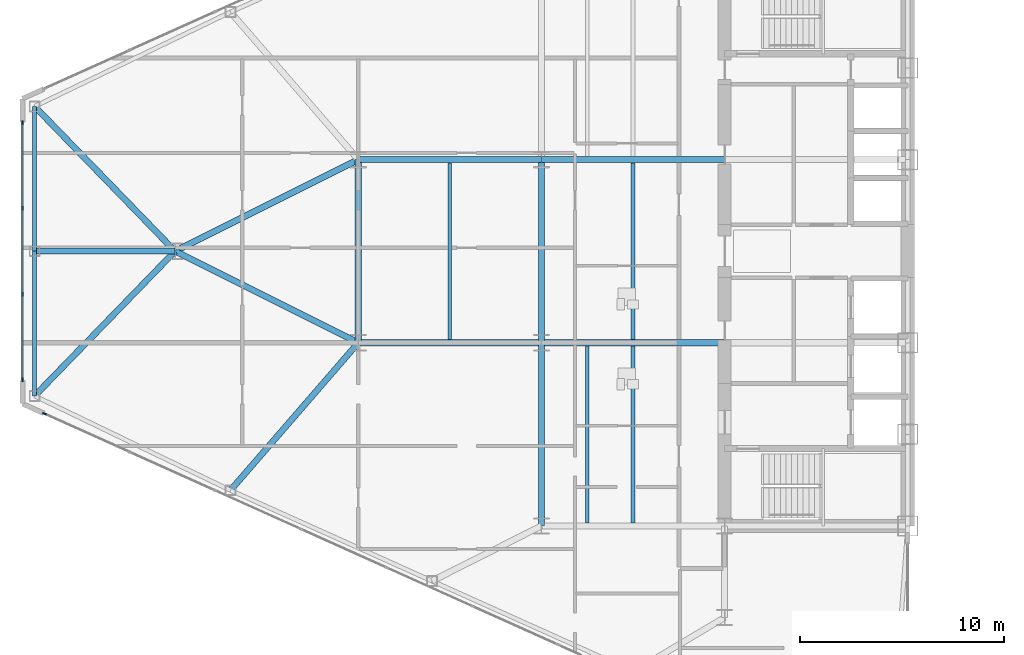
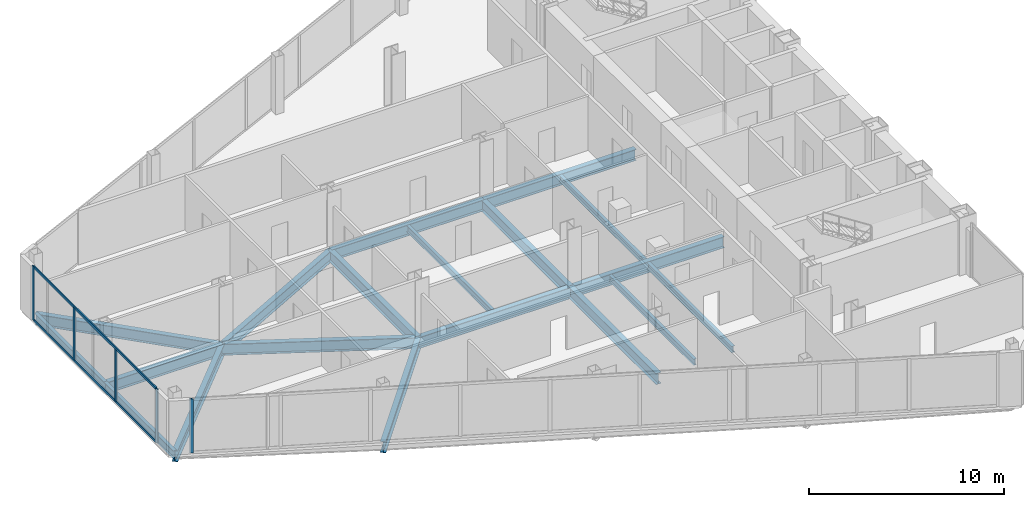
# One storey, part 5 of 27: 19 beams, 7 members, 2 elements without a shape of their own.
"""IFC4 building model written with IfcOpenShell, lengths in metres."""

from ifc_helpers import new_model, si_unit, direction, frame, origin, origin_2d, place, context, subcontext, project, spatial, rectangle, i_section, extrude, source, transform, mapped, material, layer, layer_set, material_profile, profile_set, type_object, type_shapes, element, aggregate, save


model = new_model("IFC4")

# Units and contexts
model_context = context("Model", 3, precision=1e-05, world=origin(), true_north=direction((0.0, 1.0)))
body_context = subcontext(model_context, "Body", "Model", "MODEL_VIEW")
ifc_project = project(units=[si_unit("LENGTHUNIT", "METRE"), si_unit("AREAUNIT", "SQUARE_METRE"), si_unit("VOLUMEUNIT", "CUBIC_METRE"), si_unit("PLANEANGLEUNIT", "RADIAN"), si_unit("MASSUNIT", "GRAM", prefix="KILO")], contexts=[model_context])

# Site, building, storey
site_placement = place(None, origin())
site = spatial("IfcSite", under=ifc_project, at=site_placement, CompositionType="ELEMENT")
building_placement = place(site_placement, origin())
building = spatial("IfcBuilding", under=site, at=building_placement, Name="Seokmaru Belvedere", CompositionType="ELEMENT")
storey_placement = place(building_placement, frame((0.0, 0.0, 65.699951171875)))
storey = spatial("IfcBuildingStorey", under=building, at=storey_placement, Name="L17", CompositionType="ELEMENT", Elevation=65.699951171875)

# Beams
ifc_material_1 = material(Name="Steel SM355 (355 MPa)", Category="steel")
ifc_material_profile_1 = material_profile(ifc_material_1, i_section(OverallWidth=0.300048828125, OverallDepth=0.699951171875, WebThickness=0.012939453125, FlangeThickness=0.02392578125, at=origin_2d()), Name="H-700x300x13x24")
ifc_profile_set_1 = profile_set([ifc_material_profile_1], Name="Steel SM355 (355 MPa)")
beam_type_1 = type_object("IfcBeamType", Name="Primary Floor Girder H-700", PredefinedType="BEAM", material=ifc_profile_set_1)
shared_shape_1 = source(origin(), body_context, "Body", "SweptSolid", [
    extrude(i_section(OverallWidth=0.300048828125, OverallDepth=0.699951171875, WebThickness=0.012939453125, FlangeThickness=0.02392578125, at=origin_2d()), origin(), (0.0, 0.0, 1.0), 9.0),
])
for number, where, z_axis, x_axis, name in (
    (1, (-45.5, -13.5, -0.570068359375), (0.0, 1.0, 0.0), (-1.0, 0.0, 0.0), "L17 W Interior Grid Girder 1"),
    (2, (-45.5, -4.5, -0.570068359375), (0.0, 1.0, 0.0), (-1.0, 0.0, 0.0), "L17 W Interior Grid Girder 2"),
    (3, (-45.5, -4.5, -0.570068359375), (1.0, 0.0, 0.0), (0.0, 1.0, 0.0), "L17 W Wing Primary Girder 2"),
    (4, (-45.5, 4.5, -0.570068359375), (1.0, 0.0, 0.0), (0.0, 1.0, 0.0), "L17 W Wing Primary Girder 3"),
    (5, (-54.5, -4.5, -0.570068359375), (1.0, 0.0, 0.0), (0.0, 1.0, 0.0), "L17 W Outer Wing Girder 1"),
    (6, (-54.5, 4.5, -0.570068359375), (1.0, 0.0, 0.0), (0.0, 1.0, 0.0), "L17 W Outer Wing Girder 2"),
    (7, (-54.5, -4.5, -0.570068359375), (0.0, 1.0, 0.0), (-1.0, 0.0, 0.0), "L17 W Apex Frame Girder"),
):
    element("IfcBeam", number, at=place(storey_placement, frame(where, z_axis=z_axis, x_axis=x_axis)), inside=storey, type_object=beam_type_1, Name=name, PredefinedType="BEAM", context=body_context, shape_type="MappedRepresentation", body=[
        mapped(shared_shape_1, transform((0.0, 0.0, 0.0), scale=1.0)),
    ])
shared_shape_2 = source(origin(), body_context, "Body", "SweptSolid", [
    extrude(i_section(OverallWidth=0.300048828125, OverallDepth=0.699951171875, WebThickness=0.012939453125, FlangeThickness=0.02392578125, at=origin_2d()), origin(), (0.0, 0.0, 1.0), 10.062255859375),
])
for number, where, z_axis, x_axis, name in (
    (8, (-54.5, -4.5, -0.570068359375), (-0.894427191, 0.4472135955, 0.0), (-0.4472135955, -0.894427191, 0.0), "L17 W Apex Converging Girder 1"),
    (9, (-54.5, 4.5, -0.570068359375), (-0.894427191, -0.4472135955, 0.0), (0.4472135955, -0.894427191, 0.0), "L17 W Apex Converging Girder 2"),
):
    element("IfcBeam", number, at=place(storey_placement, frame(where, z_axis=z_axis, x_axis=x_axis)), inside=storey, type_object=beam_type_1, Name=name, PredefinedType="BEAM", context=body_context, shape_type="MappedRepresentation", body=[
        mapped(shared_shape_2, transform((0.0, 0.0, 0.0), scale=1.0)),
    ])
ifc_material_profile_2 = material_profile(ifc_material_1, i_section(OverallWidth=0.18505859375, OverallDepth=0.389892578125, WebThickness=0.008056640625, FlangeThickness=0.011962890625, at=origin_2d()), Name="H-390x185x8x12")
ifc_profile_set_2 = profile_set([ifc_material_profile_2], Name="Steel SM355 (355 MPa)")
beam_type_2 = type_object("IfcBeamType", Name="Secondary Floor Joist H-350", PredefinedType="JOIST", material=ifc_profile_set_2)
shared_shape_3 = source(origin(), body_context, "Body", "SweptSolid", [
    extrude(i_section(OverallWidth=0.18505859375, OverallDepth=0.389892578125, WebThickness=0.008056640625, FlangeThickness=0.011962890625, at=origin_2d()), origin(), (0.0, 0.0, 1.0), 8.68994140625),
])
type_shapes(beam_type_2, [shared_shape_3])
for number, where, z_axis, x_axis, name in (
    (10, (-43.25, -13.344970703125, -0.4150390625), (0.0, 1.0, 0.0), (-1.0, 0.0, 0.0), "L17 W Wing Inner Secondary Joist 1"),
    (11, (-41.0, -13.344970703125, -0.4150390625), (0.0, 1.0, 0.0), (-1.0, 0.0, 0.0), "L17 W Secondary Floor Joist 1"),
    (12, (-41.0, -4.344970703125, -0.4150390625), (0.0, 1.0, 0.0), (-1.0, 0.0, 0.0), "L17 W Secondary Floor Joist 2"),
    (13, (-50.0, -4.344970703125, -0.4150390625), (0.0, 1.0, 0.0), (-1.0, 0.0, 0.0), "L17 W Outer Bay Secondary Joist"),
):
    element("IfcBeam", number, at=place(storey_placement, frame(where, z_axis=z_axis, x_axis=x_axis)), inside=storey, type_object=beam_type_2, Name=name, PredefinedType="JOIST", context=body_context, shape_type="MappedRepresentation", body=[
        mapped(shared_shape_3, transform((0.0, 0.0, 0.0), scale=1.0)),
    ])
ifc_material_profile_3 = material_profile(ifc_material_1, i_section(OverallWidth=0.199951171875, OverallDepth=0.5, WebThickness=0.010009765625, FlangeThickness=0.01611328125, at=origin_2d()), Name="H-500x200x10x16")
ifc_profile_set_3 = profile_set([ifc_material_profile_3], Name="Steel SM355 (355 MPa)")
beam_type_3 = type_object("IfcBeamType", Name="Perimeter Spandrel Beam H-500", PredefinedType="SPANDREL", material=ifc_profile_set_3)
shared_shape_4 = source(origin(), body_context, "Body", "SweptSolid", [
    extrude(i_section(OverallWidth=0.199951171875, OverallDepth=0.5, WebThickness=0.010009765625, FlangeThickness=0.01611328125, at=origin_2d()), origin(), (0.0, 0.0, 1.0), 7.112060546875),
])
type_shapes(beam_type_3, [shared_shape_4])
for number, where, z_axis, x_axis, name in (
    (14, (-70.39990234375, -7.112060546875, -0.469970703125), (0.0, 1.0, 0.0), (-1.0, 0.0, 0.0), "L17 W Faceted Apex Spandrel S"),
    (15, (-70.39990234375, 0.0, -0.469970703125), (0.0, 1.0, 0.0), (-1.0, 0.0, 0.0), "L17 W Faceted Apex Spandrel N"),
):
    element("IfcBeam", number, at=place(storey_placement, frame(where, z_axis=z_axis, x_axis=x_axis)), inside=storey, type_object=beam_type_3, Name=name, PredefinedType="SPANDREL", context=body_context, shape_type="MappedRepresentation", body=[
        mapped(shared_shape_4, transform((0.0, 0.0, 0.0), scale=1.0)),
    ])
shared_shape_5 = source(origin(), body_context, "Body", "SweptSolid", [
    extrude(i_section(OverallWidth=0.300048828125, OverallDepth=0.699951171875, WebThickness=0.012939453125, FlangeThickness=0.02392578125, at=origin_2d()), origin(), (0.0, 0.0, 1.0), 9.589599609375),
])
beam_1_placement = place(storey_placement, frame((-60.777587890625, -11.749267578125, -0.570068359375), z_axis=(0.654626140929, 0.755952786629, 0.0), x_axis=(-0.755952786629, 0.654626140929, 0.0)))
element("IfcBeam", 16, at=beam_1_placement, inside=storey, type_object=beam_type_1, Name="L17 W Flank Radial Floor Girder S-3", PredefinedType="BEAM", context=body_context, shape_type="MappedRepresentation", body=[
    mapped(shared_shape_5, transform((0.0, 0.0, 0.0), scale=1.0)),
])
shared_shape_6 = source(origin(), body_context, "Body", "SweptSolid", [
    extrude(i_section(OverallWidth=0.300048828125, OverallDepth=0.699951171875, WebThickness=0.012939453125, FlangeThickness=0.02392578125, at=origin_2d()), origin(), (0.0, 0.0, 1.0), 9.9091796875),
])
for number, where, z_axis, x_axis, name in (
    (17, (-70.39990234375, -7.112060546875, -0.570068359375), (0.6963205089, 0.717730972499, 0.0), (-0.717730972499, 0.6963205089, 0.0), "L17 W Apex Radial Floor Girder 1"),
    (18, (-70.39990234375, 7.112060546875, -0.570068359375), (0.6963205089, -0.717730972499, 0.0), (0.717730972499, 0.6963205089, 0.0), "L17 W Apex Radial Floor Girder 2"),
):
    element("IfcBeam", number, at=place(storey_placement, frame(where, z_axis=z_axis, x_axis=x_axis)), inside=storey, type_object=beam_type_1, Name=name, PredefinedType="BEAM", context=body_context, shape_type="MappedRepresentation", body=[
        mapped(shared_shape_6, transform((0.0, 0.0, 0.0), scale=1.0)),
    ])
shared_shape_7 = source(origin(), body_context, "Body", "SweptSolid", [
    extrude(i_section(OverallWidth=0.300048828125, OverallDepth=0.699951171875, WebThickness=0.012939453125, FlangeThickness=0.02392578125, at=origin_2d()), origin(), (0.0, 0.0, 1.0), 6.89990234375),
])
type_shapes(beam_type_1, [shared_shape_1, shared_shape_2, shared_shape_5, shared_shape_6, shared_shape_7])
beam_2_placement = place(storey_placement, frame((-70.39990234375, 0.0, -0.570068359375), z_axis=(1.0, 0.0, 0.0), x_axis=(0.0, 1.0, 0.0)))
element("IfcBeam", 19, at=beam_2_placement, inside=storey, type_object=beam_type_1, Name="L17 W Apex Center Radial Girder", PredefinedType="BEAM", context=body_context, shape_type="MappedRepresentation", body=[
    mapped(shared_shape_7, transform((0.0, 0.0, 0.0), scale=1.0)),
])

# Curtain wall, members
ifc_material_2 = material(Name="Bronze Triple Insulating Glass", Category="glass")
ifc_layer = layer(ifc_material_2, 0.195068359375)
ifc_layer_set = layer_set([ifc_layer], Name="Bronze Triple Insulating Glass")
curtain_wall_type = type_object("IfcCurtainWallType", Name="Lower-Mid Tapered Curtain Wall System CW-3", PredefinedType="NOTDEFINED", material=ifc_layer_set)
curtain_wall_1_placement = place(storey_placement, origin())
curtain_wall_1 = element("IfcCurtainWall", 20, at=curtain_wall_1_placement, inside=storey, type_object=curtain_wall_type, Name="L17 Curtain Wall WF4", PredefinedType="NOTDEFINED")
ifc_material_3 = material(Name="Anodised Bronze Aluminium", Category="aluminium")
ifc_material_profile_4 = material_profile(ifc_material_3, rectangle(XDim=0.070068359375, YDim=0.195068359375, at=origin_2d()), Name="CW-M-70x195")
ifc_profile_set_4 = profile_set([ifc_material_profile_4], Name="Anodised Bronze Aluminium")
member_type_1 = type_object("IfcMemberType", Name="Bronze Unitised Mullion 70x195", PredefinedType="MULLION", material=ifc_profile_set_4)
shared_shape_8 = source(origin(), body_context, "Body", "SweptSolid", [
    extrude(rectangle(XDim=0.070068359375, YDim=0.195068359375, at=origin_2d()), origin(), (0.0, 0.0, 1.0), 3.239990234375),
])
member_1_placement = place(storey_placement, frame((-71.0, 2.11669921875, 0.070068359375), z_axis=(0.0, 0.0, 1.0), x_axis=(1.0, 0.0, 0.0)))
member_1 = element("IfcMember", 21, at=member_1_placement, type_object=member_type_1, Name="CW:L17:WF4 Mullion 2", PredefinedType="MULLION", context=body_context, shape_type="MappedRepresentation", body=[
    mapped(shared_shape_8, transform((0.0, 0.0, 0.0), scale=1.0)),
])
member_2_placement = place(storey_placement, frame((-71.0, -2.11669921875, 0.070068359375), z_axis=(0.0, 0.0, 1.0), x_axis=(1.0, 0.0, 0.0)))
member_2 = element("IfcMember", 22, at=member_2_placement, type_object=member_type_1, Name="CW:L17:WF4 Mullion 3", PredefinedType="MULLION", context=body_context, shape_type="MappedRepresentation", body=[
    mapped(shared_shape_8, transform((0.0, 0.0, 0.0), scale=1.0)),
])
ifc_material_profile_5 = material_profile(ifc_material_3, rectangle(XDim=0.070068359375, YDim=0.1650390625, at=origin_2d()), Name="CW-T-70x165")
ifc_profile_set_5 = profile_set([ifc_material_profile_5], Name="Anodised Bronze Aluminium")
member_type_2 = type_object("IfcMemberType", Name="Bronze Unitised Transom 70x165", PredefinedType="USERDEFINED", material=ifc_profile_set_5)
shared_shape_9 = source(origin(), body_context, "Body", "SweptSolid", [
    extrude(rectangle(XDim=0.070068359375, YDim=0.1650390625, at=origin_2d()), origin(), (0.0, 0.0, 1.0), 12.56005859375),
])
type_shapes(member_type_2, [shared_shape_9])
member_3_placement = place(storey_placement, frame((-71.0, 6.280029296875, 0.03515625), z_axis=(0.0, -1.0, 0.0), x_axis=(1.0, 0.0, 0.0)))
member_3 = element("IfcMember", 23, at=member_3_placement, type_object=member_type_2, Name="CW:L17:WF4 Continuous Transom 1", ObjectType="TRANSOM", PredefinedType="USERDEFINED", context=body_context, shape_type="MappedRepresentation", body=[
    mapped(shared_shape_9, transform((0.0, 0.0, 0.0), scale=1.0)),
])
member_4_placement = place(storey_placement, frame((-71.0, 6.280029296875, 3.344970703125), z_axis=(0.0, -1.0, 0.0), x_axis=(1.0, 0.0, 0.0)))
member_4 = element("IfcMember", 24, at=member_4_placement, type_object=member_type_2, Name="CW:L17:WF4 Continuous Transom 2", ObjectType="TRANSOM", PredefinedType="USERDEFINED", context=body_context, shape_type="MappedRepresentation", body=[
    mapped(shared_shape_9, transform((0.0, 0.0, 0.0), scale=1.0)),
])
shared_shape_10 = source(origin(), body_context, "Body", "SweptSolid", [
    extrude(rectangle(XDim=0.070068359375, YDim=0.195068359375, at=origin_2d()), origin(), (0.0, 0.0, 1.0), 3.380126953125),
])
type_shapes(member_type_1, [shared_shape_8, shared_shape_10])
member_5_placement = place(storey_placement, frame((-71.0, 6.31494140625, 0.0), z_axis=(0.0, 0.0, 1.0), x_axis=(1.0, 0.0, 0.0)))
member_5 = element("IfcMember", 25, at=member_5_placement, type_object=member_type_1, Name="CW:L17:WF4 Mullion 1", PredefinedType="MULLION", context=body_context, shape_type="MappedRepresentation", body=[
    mapped(shared_shape_10, transform((0.0, 0.0, 0.0), scale=1.0)),
])
member_6_placement = place(storey_placement, frame((-71.0, -6.31494140625, 0.0), z_axis=(0.0, 0.0, 1.0), x_axis=(1.0, 0.0, 0.0)))
member_6 = element("IfcMember", 26, at=member_6_placement, type_object=member_type_1, Name="CW:L17:WF4 Mullion 4", PredefinedType="MULLION", context=body_context, shape_type="MappedRepresentation", body=[
    mapped(shared_shape_10, transform((0.0, 0.0, 0.0), scale=1.0)),
])
aggregate(curtain_wall_1, [member_5, member_1, member_2, member_6, member_3, member_4])

# Curtain wall, member
curtain_wall_2_placement = place(storey_placement, origin())
curtain_wall_2 = element("IfcCurtainWall", 27, at=curtain_wall_2_placement, inside=storey, type_object=curtain_wall_type, Name="L17 Curtain Wall WF5", PredefinedType="NOTDEFINED")
member_7_placement = place(storey_placement, frame((-69.91943359375, -7.986328125, 0.0), z_axis=(0.0, 0.0, 1.0), x_axis=(0.41036554765, 0.91192111353, 0.0)))
member_7 = element("IfcMember", 28, at=member_7_placement, type_object=member_type_1, Name="CW:L17:WF5 Mullion 1", PredefinedType="MULLION", context=body_context, shape_type="MappedRepresentation", body=[
    mapped(shared_shape_10, transform((0.0, 0.0, 0.0), scale=1.0)),
])
aggregate(curtain_wall_2, [member_7])

save(model, "model.ifc")
